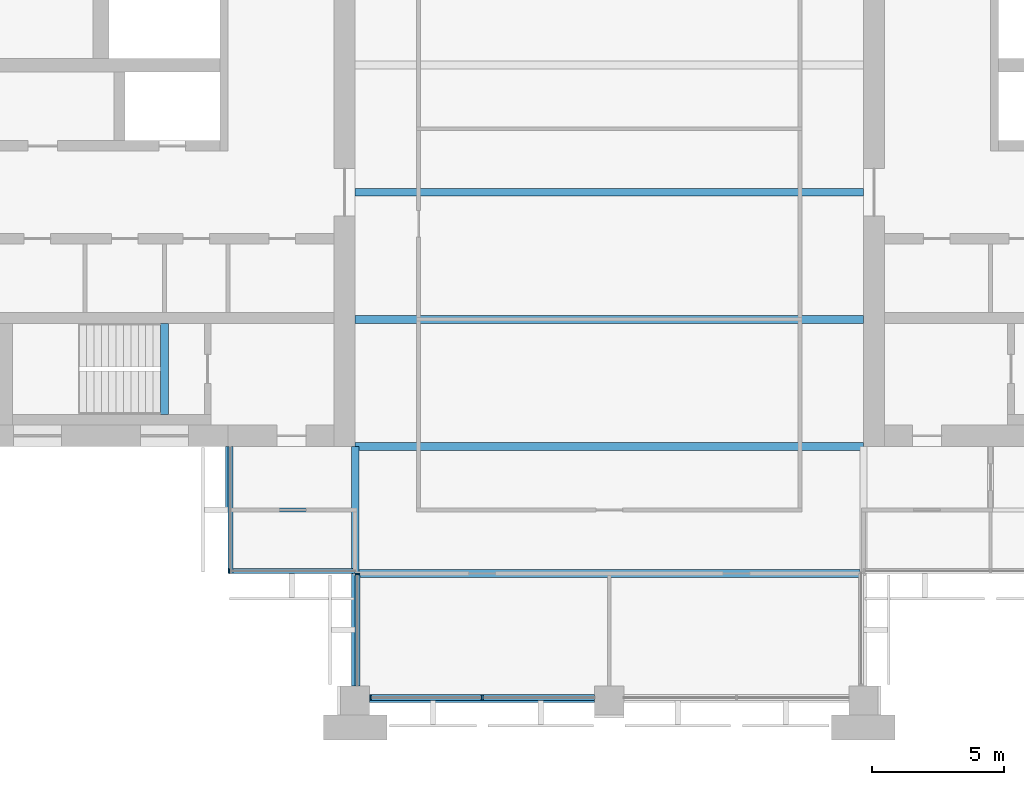
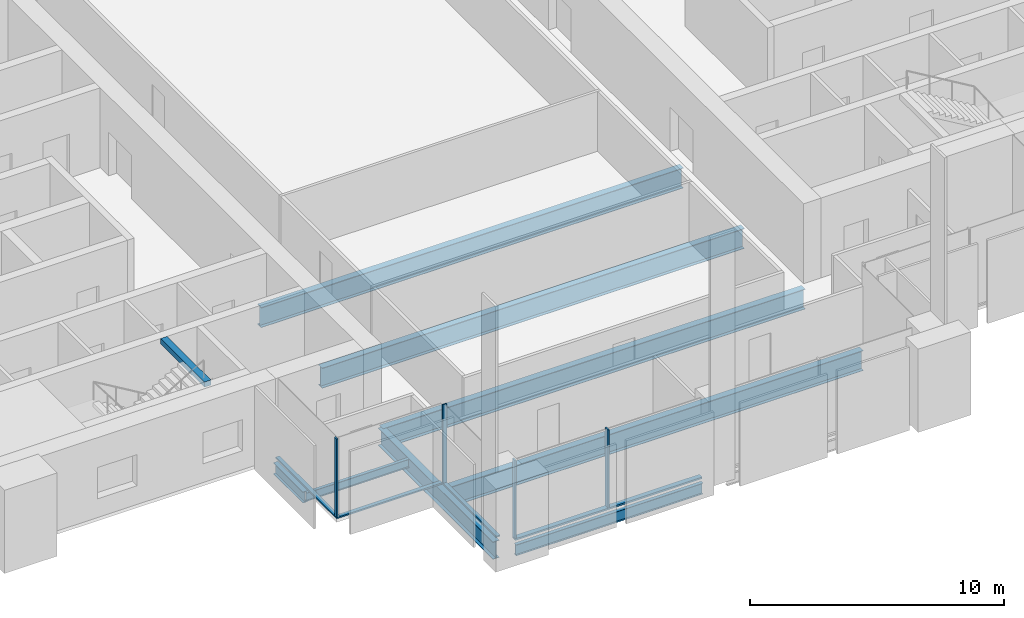
# One storey, part 2 of 13: 9 beams, 8 members, 4 elements without a shape of their own.
"""IFC4 building model written with IfcOpenShell, lengths in metres."""

from ifc_helpers import new_model, si_unit, direction, frame, origin, origin_2d, place, context, subcontext, project, spatial, rectangle, i_section, extrude, material, material_profile, profile_set, type_object, element, aggregate, save


model = new_model("IFC4")

# Units and contexts
model_context = context("Model", 3, precision=1e-05, world=origin(), true_north=direction((0.0, 1.0)))
body_context = subcontext(model_context, "Body", "Model", "MODEL_VIEW")
ifc_project = project(units=[si_unit("LENGTHUNIT", "METRE"), si_unit("AREAUNIT", "SQUARE_METRE"), si_unit("VOLUMEUNIT", "CUBIC_METRE"), si_unit("PLANEANGLEUNIT", "RADIAN"), si_unit("MASSUNIT", "GRAM", prefix="KILO")], contexts=[model_context])

# Site, building, storey
site_placement = place(None, origin())
site = spatial("IfcSite", under=ifc_project, at=site_placement, CompositionType="ELEMENT")
building_placement = place(site_placement, origin())
building = spatial("IfcBuilding", under=site, at=building_placement, Name="Baori Bourse Tower", CompositionType="ELEMENT")
storey_placement = place(building_placement, frame((0.0, 0.0, 213.199951171875)))
storey = spatial("IfcBuildingStorey", under=building, at=storey_placement, Name="L46", CompositionType="ELEMENT", Elevation=213.199951171875)

# Curtain wall, member
ifc_material_1 = material(Name="Pale anodised aluminium", Category="aluminium")
curtain_wall_type_1 = type_object("IfcCurtainWallType", Name="CW2 Curtain wall", PredefinedType="NOTDEFINED", material=ifc_material_1)
curtain_wall_1_placement = place(storey_placement, origin())
curtain_wall_1 = element("IfcCurtainWall", 1, at=curtain_wall_1_placement, inside=storey, type_object=curtain_wall_type_1, Name="Curtain wall CW2 L46 9", PredefinedType="NOTDEFINED")
ifc_material_2 = material(Name="Pale anodised aluminium", Category="aluminium")
ifc_material_profile_1 = material_profile(ifc_material_2, rectangle(XDim=0.179931640625, YDim=0.054931640625, at=origin_2d()), Name="Mullion 55x180")
ifc_profile_set_1 = profile_set([ifc_material_profile_1], Name="Pale anodised aluminium")
member_type_1 = type_object("IfcMemberType", Name="CW2 Curtain wall mullion", PredefinedType="MULLION", material=ifc_profile_set_1)
member_1_placement = place(storey_placement, frame((14.427490234375, 4.889892578125, 0.070068359375), z_axis=(0.0, 0.0, 1.0), x_axis=(0.0, 1.0, 0.0)))
member_1 = element("IfcMember", 2, at=member_1_placement, type_object=member_type_1, Name="Curtain wall CW2 mullion", PredefinedType="MULLION", context=body_context, shape_type="SweptSolid", body=[
    extrude(rectangle(XDim=0.179931640625, YDim=0.054931640625, at=origin_2d()), origin(), (0.0, 0.0, 1.0), 3.77001953125),
])

curtain_wall_2_placement = place(storey_placement, origin())
curtain_wall_2 = element("IfcCurtainWall", 3, at=curtain_wall_2_placement, inside=storey, type_object=curtain_wall_type_1, Name="Curtain wall CW2 L46 10", PredefinedType="NOTDEFINED")
member_2_placement = place(storey_placement, frame((19.2900390625, 4.7724609375, 0.070068359375), z_axis=(0.0, 0.0, 1.0), x_axis=(1.0, 0.0, 0.0)))
member_2 = element("IfcMember", 4, at=member_2_placement, type_object=member_type_1, Name="Curtain wall CW2 mullion", PredefinedType="MULLION", context=body_context, shape_type="SweptSolid", body=[
    extrude(rectangle(XDim=0.179931640625, YDim=0.054931640625, at=origin_2d()), origin(), (0.0, 0.0, 1.0), 3.77001953125),
])

curtain_wall_3_placement = place(storey_placement, origin())
curtain_wall_3 = element("IfcCurtainWall", 5, at=curtain_wall_3_placement, inside=storey, type_object=curtain_wall_type_1, Name="Curtain wall CW2 L46 8", PredefinedType="NOTDEFINED")
ifc_material_3 = material(Name="Pale anodised aluminium", Category="aluminium")
ifc_material_profile_2 = material_profile(ifc_material_3, rectangle(XDim=0.179931640625, YDim=0.070068359375, at=origin_2d()), Name="Transom 70x180")
ifc_profile_set_2 = profile_set([ifc_material_profile_2], Name="Pale anodised aluminium")
member_type_2 = type_object("IfcMemberType", Name="CW2 Curtain wall transom", PredefinedType="USERDEFINED", material=ifc_profile_set_2)
member_3_placement = place(storey_placement, frame((14.489990234375, 9.60009765625, 0.03515625), z_axis=(0.0, -1.0, 0.0), x_axis=(1.0, 0.0, 0.0)))
member_3 = element("IfcMember", 6, at=member_3_placement, type_object=member_type_2, Name="Curtain wall CW2 sill rail", ObjectType="TRANSOM", PredefinedType="USERDEFINED", context=body_context, shape_type="SweptSolid", body=[
    extrude(rectangle(XDim=0.179931640625, YDim=0.070068359375, at=origin_2d()), origin(), (0.0, 0.0, 1.0), 4.800048828125),
])
aggregate(curtain_wall_3, [member_3])

# Member
member_4_placement = place(storey_placement, frame((14.39990234375, 4.889892578125, 0.03515625), z_axis=(1.0, 0.0, 0.0), x_axis=(0.0, 1.0, 0.0)))
member_4 = element("IfcMember", 7, at=member_4_placement, type_object=member_type_2, Name="Curtain wall CW2 sill rail", ObjectType="TRANSOM", PredefinedType="USERDEFINED", context=body_context, shape_type="SweptSolid", body=[
    extrude(rectangle(XDim=0.179931640625, YDim=0.070068359375, at=origin_2d()), origin(), (0.0, 0.0, 1.0), 4.800048828125),
])

aggregate(curtain_wall_1, [member_4, member_1])

member_5_placement = place(storey_placement, frame((19.2900390625, 4.800048828125, 0.03515625), z_axis=(0.0, -1.0, 0.0), x_axis=(1.0, 0.0, 0.0)))
member_5 = element("IfcMember", 8, at=member_5_placement, type_object=member_type_2, Name="Curtain wall CW2 sill rail", ObjectType="TRANSOM", PredefinedType="USERDEFINED", context=body_context, shape_type="SweptSolid", body=[
    extrude(rectangle(XDim=0.179931640625, YDim=0.070068359375, at=origin_2d()), origin(), (0.0, 0.0, 1.0), 4.25),
])

aggregate(curtain_wall_2, [member_5, member_2])

# Curtain wall, members
ifc_material_4 = material(Name="Pale anodised aluminium", Category="aluminium")
curtain_wall_type_2 = type_object("IfcCurtainWallType", Name="CW5 Curtain wall", PredefinedType="NOTDEFINED", material=ifc_material_4)
curtain_wall_4_placement = place(storey_placement, origin())
curtain_wall_4 = element("IfcCurtainWall", 9, at=curtain_wall_4_placement, inside=storey, type_object=curtain_wall_type_2, Name="Curtain wall CW5 L46 11", PredefinedType="NOTDEFINED")
ifc_material_5 = material(Name="Pale anodised aluminium", Category="aluminium")
ifc_material_profile_3 = material_profile(ifc_material_5, rectangle(XDim=0.219970703125, YDim=0.06494140625, at=origin_2d()), Name="Mullion 65x220")
ifc_profile_set_3 = profile_set([ifc_material_profile_3], Name="Pale anodised aluminium")
member_type_3 = type_object("IfcMemberType", Name="CW5 Curtain wall mullion", PredefinedType="MULLION", material=ifc_profile_set_3)
member_6_placement = place(storey_placement, frame((19.782470703125, 0.110107421875, 0.0849609375), z_axis=(0.0, 0.0, 1.0), x_axis=(0.0, 1.0, 0.0)))
member_6 = element("IfcMember", 10, at=member_6_placement, type_object=member_type_3, Name="Curtain wall CW5 mullion", PredefinedType="MULLION", context=body_context, shape_type="SweptSolid", body=[
    extrude(rectangle(XDim=0.219970703125, YDim=0.06494140625, at=origin_2d()), origin(), (0.0, 0.0, 1.0), 3.755126953125),
])
member_7_placement = place(storey_placement, frame((24.0, 0.110107421875, 0.0849609375), z_axis=(0.0, 0.0, 1.0), x_axis=(0.0, 1.0, 0.0)))
member_7 = element("IfcMember", 11, at=member_7_placement, type_object=member_type_3, Name="Curtain wall CW5 mullion", PredefinedType="MULLION", context=body_context, shape_type="SweptSolid", body=[
    extrude(rectangle(XDim=0.219970703125, YDim=0.06494140625, at=origin_2d()), origin(), (0.0, 0.0, 1.0), 3.755126953125),
])
ifc_material_6 = material(Name="Pale anodised aluminium", Category="aluminium")
ifc_material_profile_4 = material_profile(ifc_material_6, rectangle(XDim=0.219970703125, YDim=0.0849609375, at=origin_2d()), Name="Transom 85x220")
ifc_profile_set_4 = profile_set([ifc_material_profile_4], Name="Pale anodised aluminium")
member_type_4 = type_object("IfcMemberType", Name="CW5 Curtain wall transom", PredefinedType="USERDEFINED", material=ifc_profile_set_4)
member_8_placement = place(storey_placement, frame((19.75, 0.110107421875, 0.04248046875), z_axis=(1.0, 0.0, 0.0), x_axis=(0.0, 1.0, 0.0)))
member_8 = element("IfcMember", 12, at=member_8_placement, type_object=member_type_4, Name="Curtain wall CW5 sill rail", ObjectType="TRANSOM", PredefinedType="USERDEFINED", context=body_context, shape_type="SweptSolid", body=[
    extrude(rectangle(XDim=0.219970703125, YDim=0.0849609375, at=origin_2d()), origin(), (0.0, 0.0, 1.0), 8.5),
])
aggregate(curtain_wall_4, [member_8, member_6, member_7])

# Beams
ifc_material_7 = material(Name="Steel A992 Gr 50", Category="steel")
ifc_material_profile_5 = material_profile(ifc_material_7, i_section(OverallWidth=0.21240234375, OverallDepth=0.54345703125, WebThickness=0.01318359375, FlangeThickness=0.021240234375, at=origin_2d()), Name="W21x83")
ifc_profile_set_5 = profile_set([ifc_material_profile_5], Name="Steel A992 Gr 50")
beam_type_1 = type_object("IfcBeamType", Name="Core bracket W21x83", PredefinedType="BEAM", material=ifc_profile_set_5)
beam_1_placement = place(storey_placement, frame((14.39990234375, 7.270263671875, -0.431640625), z_axis=(0.0, 1.0, 0.0), x_axis=(-1.0, 0.0, 0.0)))
element("IfcBeam", 13, at=beam_1_placement, inside=storey, type_object=beam_type_1, Name="Core bracket L46", PredefinedType="BEAM", context=body_context, shape_type="SweptSolid", body=[
    extrude(i_section(OverallWidth=0.21240234375, OverallDepth=0.54345703125, WebThickness=0.01318359375, FlangeThickness=0.021240234375, at=origin_2d()), origin(), (0.0, 0.0, 1.0), 2.329833984375),
])
ifc_material_8 = material(Name="Steel A992 Gr 50", Category="steel")
ifc_material_profile_6 = material_profile(ifc_material_8, i_section(OverallWidth=0.1650390625, OverallDepth=0.52587890625, WebThickness=0.0087890625, FlangeThickness=0.011474609375, at=origin_2d()), Name="W21x44")
ifc_profile_set_6 = profile_set([ifc_material_profile_6], Name="Steel A992 Gr 50")
beam_type_2 = type_object("IfcBeamType", Name="Edge beam W21x44", PredefinedType="BEAM", material=ifc_profile_set_6)
beam_2_placement = place(storey_placement, frame((19.75, 0.0, -0.4228515625), z_axis=(1.0, 0.0, 0.0), x_axis=(0.0, 1.0, 0.0)))
element("IfcBeam", 14, at=beam_2_placement, inside=storey, type_object=beam_type_2, Name="Edge beam L46", PredefinedType="BEAM", context=body_context, shape_type="SweptSolid", body=[
    extrude(i_section(OverallWidth=0.1650390625, OverallDepth=0.52587890625, WebThickness=0.0087890625, FlangeThickness=0.011474609375, at=origin_2d()), origin(), (0.0, 0.0, 1.0), 8.5),
])
ifc_material_9 = material(Name="Steel A992 Gr 50", Category="steel")
ifc_material_profile_7 = material_profile(ifc_material_9, i_section(OverallWidth=0.2998046875, OverallDepth=0.97021484375, WebThickness=0.01611328125, FlangeThickness=0.02099609375, at=origin_2d()), Name="W40x149")
ifc_profile_set_7 = profile_set([ifc_material_profile_7], Name="Steel A992 Gr 50")
beam_type_3 = type_object("IfcBeamType", Name="Floor beam W40x149", PredefinedType="BEAM", material=ifc_profile_set_7)
beam_3_placement = place(storey_placement, frame((19.345947265625, 4.800048828125, -0.64501953125), z_axis=(1.0, 0.0, 0.0), x_axis=(0.0, 1.0, 0.0)))
element("IfcBeam", 15, at=beam_3_placement, inside=storey, type_object=beam_type_3, Name="Floor beam L46", PredefinedType="BEAM", context=body_context, shape_type="SweptSolid", body=[
    extrude(i_section(OverallWidth=0.2998046875, OverallDepth=0.97021484375, WebThickness=0.01611328125, FlangeThickness=0.02099609375, at=origin_2d()), origin(), (0.0, 0.0, 1.0), 18.920654296875),
])
for number, where, z_axis, x_axis, name in (
    (16, (19.199951171875, 9.60009765625, -0.64501953125), (1.0, 0.0, 0.0), (0.0, 1.0, 0.0), "Floor beam L46"),
    (17, (19.199951171875, 14.39990234375, -0.64501953125), (1.0, 0.0, 0.0), (0.0, 1.0, 0.0), "Floor beam L46"),
    (18, (19.199951171875, 19.199951171875, -0.64501953125), (1.0, 0.0, 0.0), (0.0, 1.0, 0.0), "Floor beam L46"),
):
    element("IfcBeam", number, at=place(storey_placement, frame(where, z_axis=z_axis, x_axis=x_axis)), inside=storey, type_object=beam_type_3, Name=name, PredefinedType="BEAM", context=body_context, shape_type="SweptSolid", body=[
        extrude(i_section(OverallWidth=0.2998046875, OverallDepth=0.97021484375, WebThickness=0.01611328125, FlangeThickness=0.02099609375, at=origin_2d()), origin(), (0.0, 0.0, 1.0), 19.199951171875),
    ])
ifc_material_10 = material(Name="Steel A992 Gr 50", Category="steel")
ifc_material_profile_8 = material_profile(ifc_material_10, i_section(OverallWidth=0.2919921875, OverallDepth=0.835693359375, WebThickness=0.013916015625, FlangeThickness=0.018798828125, at=origin_2d()), Name="W33x118")
ifc_profile_set_8 = profile_set([ifc_material_profile_8], Name="Steel A992 Gr 50")
beam_type_4 = type_object("IfcBeamType", Name="Girder W33x118", PredefinedType="BEAM", material=ifc_profile_set_8)
beam_4_placement = place(storey_placement, frame((19.199951171875, 0.550048828125, -0.577880859375), z_axis=(0.0, 1.0, 0.0), x_axis=(-1.0, 0.0, 0.0)))
element("IfcBeam", 19, at=beam_4_placement, inside=storey, type_object=beam_type_4, Name="Girder L46", PredefinedType="BEAM", context=body_context, shape_type="SweptSolid", body=[
    extrude(i_section(OverallWidth=0.2919921875, OverallDepth=0.835693359375, WebThickness=0.013916015625, FlangeThickness=0.018798828125, at=origin_2d()), origin(), (0.0, 0.0, 1.0), 9.050048828125),
])
ifc_material_11 = material(Name="Concrete f'c 50 MPa", Category="concrete")
ifc_material_profile_9 = material_profile(ifc_material_11, rectangle(XDim=0.300048828125, YDim=0.25, at=origin_2d()), Name="RC 300x250")
ifc_profile_set_9 = profile_set([ifc_material_profile_9], Name="Concrete f'c 50 MPa")
beam_type_5 = type_object("IfcBeamType", Name="Stair nib beam RC 300x250", PredefinedType="BEAM", material=ifc_profile_set_9)
beam_5_placement = place(storey_placement, frame((12.0, 10.800048828125, 3.715087890625), z_axis=(0.0, 1.0, 0.0), x_axis=(-1.0, 0.0, 0.0)))
element("IfcBeam", 20, at=beam_5_placement, inside=storey, type_object=beam_type_5, Name="Stair WA nib beam L47", PredefinedType="BEAM", context=body_context, shape_type="SweptSolid", body=[
    extrude(rectangle(XDim=0.300048828125, YDim=0.25, at=origin_2d()), origin(), (0.0, 0.0, 1.0), 3.449951171875),
])
ifc_material_12 = material(Name="Steel A992 Gr 50", Category="steel")
ifc_material_profile_10 = material_profile(ifc_material_12, i_section(OverallWidth=0.140380859375, OverallDepth=0.40380859375, WebThickness=0.007080078125, FlangeThickness=0.01123046875, at=origin_2d()), Name="W16x31")
ifc_profile_set_10 = profile_set([ifc_material_profile_10], Name="Steel A992 Gr 50")
beam_type_6 = type_object("IfcBeamType", Name="Trimmer beam W16x31", PredefinedType="BEAM", material=ifc_profile_set_10)
beam_6_placement = place(storey_placement, frame((14.39990234375, 7.199951171875, -0.36181640625), z_axis=(1.0, 0.0, 0.0), x_axis=(0.0, 1.0, 0.0)))
element("IfcBeam", 21, at=beam_6_placement, inside=storey, type_object=beam_type_6, Name="Trimmer beam L46", PredefinedType="BEAM", context=body_context, shape_type="SweptSolid", body=[
    extrude(i_section(OverallWidth=0.140380859375, OverallDepth=0.40380859375, WebThickness=0.007080078125, FlangeThickness=0.01123046875, at=origin_2d()), origin(), (0.0, 0.0, 1.0), 4.654052734375),
])

save(model, "model.ifc")
